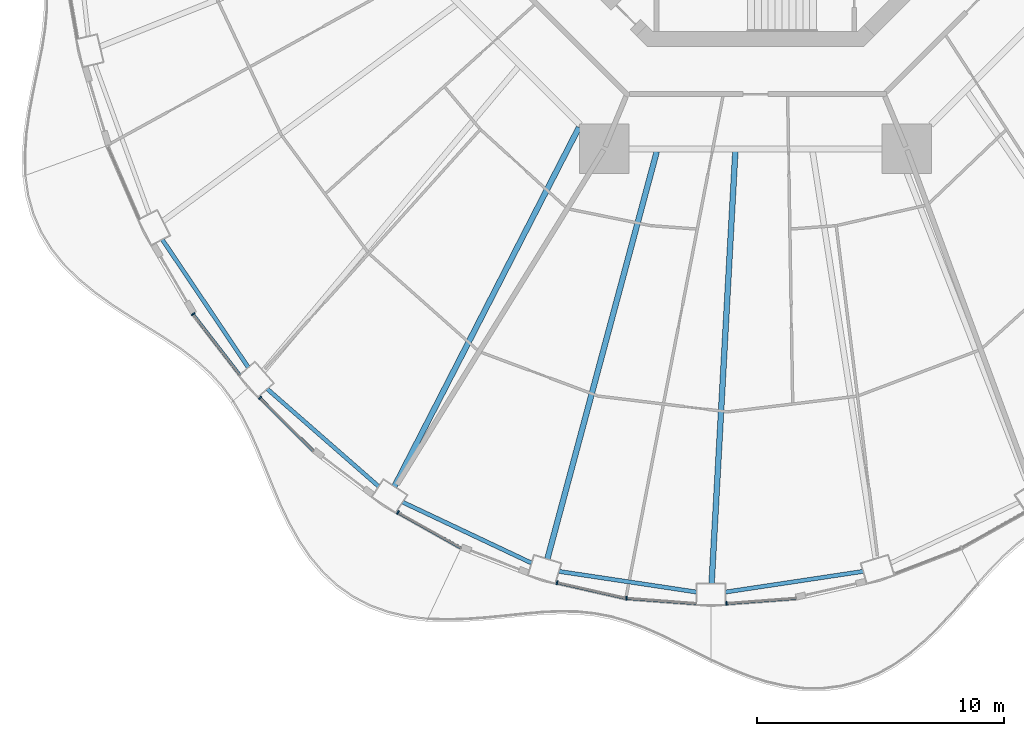
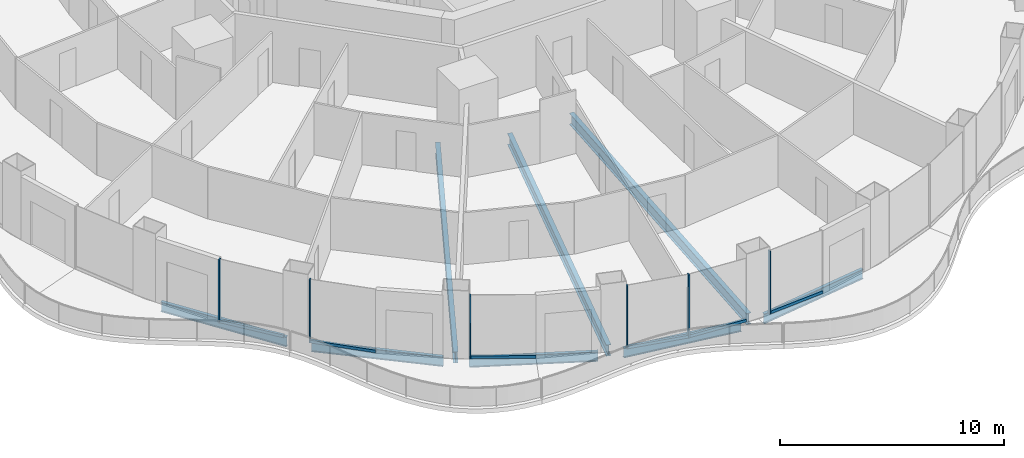
# One storey, part 2 of 20: 12 members, 8 beams, 6 elements without a shape of their own.
"""IFC4 building model written with IfcOpenShell, lengths in metres."""

import ifcopenshell
import ifcopenshell.guid

model = None  # the IFC model being written
_history = None  # IfcOwnerHistory: only IFC2X3 demands one
_inside = {}  # id of a spatial element -> (the spatial element, [elements in it])
_under = {}  # id of a project, library or spatial element -> (it, [spatial elements below it])
_declared = {}  # id of a project -> (the project, [libraries it declares])
_typed = {}  # id of a type object -> (the type object, [elements of that type])
_made_of = {}  # id of a material, layer set ... -> (it, [elements and type objects made of it])


def new_model(schema):
    """Start an empty IFC model of exactly this schema.

    Asked for "IFC4X3", IfcOpenShell would pick the latest addendum, in which some entities
    have other attributes; the version numbers below select the first issue.
    IFC2X3 requires an IfcOwnerHistory on every rooted entity: one is made here for all.
    """
    global model, _history
    if schema == "IFC4X3":
        model = ifcopenshell.file(schema_version=(4, 3, 0, 0))
    else:
        model = ifcopenshell.file(schema=schema)
    _inside.clear()
    _under.clear()
    _declared.clear()
    _typed.clear()
    _made_of.clear()
    _history = None
    if model.schema == "IFC2X3":
        org = make("IfcOrganization", Name="unknown")
        user = make(
            "IfcPersonAndOrganization",
            ThePerson=make("IfcPerson", FamilyName="unknown"),
            TheOrganization=org,
        )
        app = make(
            "IfcApplication",
            ApplicationDeveloper=org,
            Version="unknown",
            ApplicationFullName="unknown",
            ApplicationIdentifier="unknown",
        )
        _history = make(
            "IfcOwnerHistory",
            OwningUser=user,
            OwningApplication=app,
            ChangeAction="ADDED",
            CreationDate=0,
        )
    return model


def make(cls, **values):
    """One entity of the class cls with the attributes given. An attribute that is None is left unset."""
    return model.create_entity(
        cls, **{name: value for name, value in values.items() if value is not None}
    )


def rooted(cls, **values):
    """An entity with a GlobalId (a new one), such as an element, a storey or a relation."""
    return make(cls, GlobalId=ifcopenshell.guid.new(), OwnerHistory=_history, **values)


def si_unit(unit_type, name, prefix=None):
    """IfcSIUnit, for example si_unit("LENGTHUNIT", "METRE", prefix="MILLI")."""
    return make("IfcSIUnit", UnitType=unit_type, Prefix=prefix, Name=name)


def assignment(units):
    """IfcUnitAssignment: the units of a project."""
    return None if units is None else make("IfcUnitAssignment", Units=units)


def point(xyz):
    """IfcCartesianPoint."""
    return None if xyz is None else make("IfcCartesianPoint", Coordinates=xyz)


def direction(xyz):
    """IfcDirection."""
    return None if xyz is None else make("IfcDirection", DirectionRatios=xyz)


def frame(location, z_axis=None, x_axis=None):
    """IfcAxis2Placement3D, a coordinate frame: its origin and axes. An axis left out is left unset."""
    return make(
        "IfcAxis2Placement3D",
        Location=point(location),
        Axis=direction(z_axis),
        RefDirection=direction(x_axis),
    )


def frame_2d(location, x_axis=None):
    """IfcAxis2Placement2D, a coordinate frame in the plane: its origin and x axis."""
    return make(
        "IfcAxis2Placement2D", Location=point(location), RefDirection=direction(x_axis)
    )


def origin():
    """The frame at (0, 0, 0) with its axes left unset."""
    return frame((0.0, 0.0, 0.0))


def origin_2d():
    """The frame at (0, 0) in the plane with its x axis left unset."""
    return frame_2d((0.0, 0.0))


def place(relative_to, where):
    """IfcLocalPlacement: puts the frame where relative to a parent placement (None: the world)."""
    return make(
        "IfcLocalPlacement", PlacementRelTo=relative_to, RelativePlacement=where
    )


def context(
    kind, dimensions, precision=None, world=None, true_north=None, identifier=None
):
    """IfcGeometricRepresentationContext, for example the 3D "Model" context."""
    return make(
        "IfcGeometricRepresentationContext",
        ContextIdentifier=identifier,
        ContextType=kind,
        CoordinateSpaceDimension=dimensions,
        Precision=precision,
        WorldCoordinateSystem=world,
        TrueNorth=true_north,
    )


def subcontext(parent, identifier, kind, view, scale=None):
    """IfcGeometricRepresentationSubContext, for example "Body" below "Model"."""
    return make(
        "IfcGeometricRepresentationSubContext",
        ContextIdentifier=identifier,
        ContextType=kind,
        ParentContext=parent,
        TargetScale=scale,
        TargetView=view,
    )


def project(units=None, contexts=None):
    """IfcProject with its units and contexts."""
    return rooted(
        "IfcProject",
        Name="project",
        RepresentationContexts=contexts,
        UnitsInContext=assignment(units),
    )


def spatial(cls, under=None, at=None, **own):
    """A site, building, storey or space (cls), placed at a placement, below another one or the project."""
    s = rooted(cls, ObjectPlacement=at, **own)
    if under is not None:
        _under.setdefault(under.id(), (under, []))[1].append(s)
    return s


def profile(cls, at=None, kind="AREA", **sizes):
    """A parametric profile (cls). Its sizes go by their IFC names, for example OverallWidth=200.0."""
    return make(cls, ProfileType=kind, Position=at, **sizes)


def rectangle(**sizes):
    """IfcRectangleProfileDef."""
    return profile("IfcRectangleProfileDef", **sizes)


def i_section(**sizes):
    """IfcIShapeProfileDef."""
    return profile("IfcIShapeProfileDef", **sizes)


def extrude(swept, where, along, depth):
    """IfcExtrudedAreaSolid: the profile swept, set in the frame where, extruded along a direction by depth."""
    return make(
        "IfcExtrudedAreaSolid",
        SweptArea=swept,
        Position=where,
        ExtrudedDirection=direction(along),
        Depth=depth,
    )


def shape(context_of_items, identifier, shape_type, items):
    """IfcShapeRepresentation: the items that make up one representation, for example the "Body"."""
    return make(
        "IfcShapeRepresentation",
        ContextOfItems=context_of_items,
        RepresentationIdentifier=identifier,
        RepresentationType=shape_type,
        Items=items,
    )


def material(Name=None, Category=None):
    """IfcMaterial."""
    return make("IfcMaterial", Name=Name, Category=Category)


def layer(
    of_material, thickness, ventilated=None, Name=None, Category=None, Priority=None
):
    """IfcMaterialLayer: one layer of a wall or slab, of a material (None: an air gap)."""
    return make(
        "IfcMaterialLayer",
        Material=of_material,
        LayerThickness=thickness,
        IsVentilated=ventilated,
        Name=Name,
        Category=Category,
        Priority=Priority,
    )


def layer_set(layers, Name=None):
    """IfcMaterialLayerSet."""
    return make("IfcMaterialLayerSet", MaterialLayers=layers, LayerSetName=Name)


def material_profile(
    of_material, cross_section, Name=None, Category=None, Priority=None
):
    """IfcMaterialProfile: a cross section and its material."""
    return make(
        "IfcMaterialProfile",
        Name=Name,
        Material=of_material,
        Profile=cross_section,
        Priority=Priority,
        Category=Category,
    )


def profile_set(profiles, Name=None, composite=None):
    """IfcMaterialProfileSet."""
    return make(
        "IfcMaterialProfileSet",
        Name=Name,
        MaterialProfiles=profiles,
        CompositeProfile=composite,
    )


def made_of(thing, what):
    """Note that an element or type object is made of a material, layer set ...; save() writes the relation."""
    if what is not None:
        _made_of.setdefault(what.id(), (what, []))[1].append(thing)
    return thing


def type_object(cls, material=None, **own):
    """A type object (cls), such as IfcWallType, which elements share."""
    return made_of(rooted(cls, **own), material)


def element(
    cls,
    number,
    at=None,
    inside=None,
    cuts=None,
    type_object=None,
    material=None,
    context=None,
    identifier="Body",
    shape_type=None,
    held_by="IfcProductDefinitionShape",
    body=None,
    shapes=None,
    **own,
):
    """One element of the class cls, such as IfcWall. Its Tag is "e" and its number.

    at: its placement. inside: the storey or other place that contains it. cuts: it is an
    opening in that element (IfcRelVoidsElement). A single representation is given by context,
    identifier, shape_type and body (its items); several are given by shapes. held_by: the class
    of the entity that holds the representations. save() writes the other relations.
    """
    e = rooted(cls, Tag="e%d" % number, ObjectPlacement=at, **own)
    if body is not None:
        shapes = [shape(context, identifier, shape_type, body)]
    if shapes is not None:
        e.Representation = make(held_by, Representations=shapes)
    if inside is not None:
        _inside.setdefault(inside.id(), (inside, []))[1].append(e)
    if cuts is not None:
        rooted(
            "IfcRelVoidsElement", RelatingBuildingElement=cuts, RelatedOpeningElement=e
        )
    if type_object is not None:
        _typed.setdefault(type_object.id(), (type_object, []))[1].append(e)
    return made_of(e, material)


def aggregate(whole, parts):
    """IfcRelAggregates: a whole, such as a stair, and the parts it consists of."""
    return rooted("IfcRelAggregates", RelatingObject=whole, RelatedObjects=parts)


def save(model, path):
    """Write the relations noted so far, then the file.

    IfcRelAggregates (storeys below a building ...), IfcRelContainedInSpatialStructure (elements
    in a storey), IfcRelDefinesByType, IfcRelAssociatesMaterial and IfcRelDeclares: one each for
    every whole, place, type object, material and project.
    """
    for whole, parts in _under.values():
        aggregate(whole, parts)
    for where, things in _inside.values():
        rooted(
            "IfcRelContainedInSpatialStructure",
            RelatedElements=things,
            RelatingStructure=where,
        )
    for kind, things in _typed.values():
        rooted("IfcRelDefinesByType", RelatedObjects=things, RelatingType=kind)
    for what, things in _made_of.values():
        rooted("IfcRelAssociatesMaterial", RelatedObjects=things, RelatingMaterial=what)
    for by, libraries in _declared.values():
        rooted("IfcRelDeclares", RelatingContext=by, RelatedDefinitions=libraries)
    model.write(path)


model = new_model("IFC4")

# Units and contexts
model_context = context("Model", 3, precision=1e-05, world=origin(), true_north=direction((0.0, 1.0)))
body_context = subcontext(model_context, "Body", "Model", "MODEL_VIEW")
ifc_project = project(units=[si_unit("LENGTHUNIT", "METRE"), si_unit("AREAUNIT", "SQUARE_METRE"), si_unit("VOLUMEUNIT", "CUBIC_METRE"), si_unit("PLANEANGLEUNIT", "RADIAN"), si_unit("MASSUNIT", "GRAM", prefix="KILO")], contexts=[model_context])

# Site, building, storey
site_placement = place(None, origin())
site = spatial("IfcSite", under=ifc_project, at=site_placement, CompositionType="ELEMENT")
building_placement = place(site_placement, origin())
building = spatial("IfcBuilding", under=site, at=building_placement, Name="Nagisa Residences", CompositionType="ELEMENT")
storey_placement = place(building_placement, frame((0.0, 0.0, 130.699951171875)))
storey = spatial("IfcBuildingStorey", under=building, at=storey_placement, Name="L32", CompositionType="ELEMENT", Elevation=130.699951171875)

# Curtain wall, member
ifc_material_1 = material(Name="Concrete-coloured aluminium curtain wall system", Category="concrete")
ifc_layer = layer(ifc_material_1, 0.159912109375)
ifc_layer_set = layer_set([ifc_layer], Name="CW1 CURTAIN WALL")
curtain_wall_type = type_object("IfcCurtainWallType", Name="CW1 CURTAIN WALL", PredefinedType="NOTDEFINED", material=ifc_layer_set)
curtain_wall_1_placement = place(storey_placement, origin())
curtain_wall_1 = element("IfcCurtainWall", 1, at=curtain_wall_1_placement, inside=storey, type_object=curtain_wall_type, Name="cw:CW1:L32:29", PredefinedType="NOTDEFINED")
ifc_material_2 = material(Name="Concrete-coloured aluminium", Category="concrete")
ifc_material_profile_1 = material_profile(ifc_material_2, rectangle(XDim=0.159912109375, YDim=0.06005859375, at=origin_2d()), Name="CW1 MULLION 160x60")
ifc_profile_set_1 = profile_set([ifc_material_profile_1], Name="Concrete-coloured aluminium")
member_type_1 = type_object("IfcMemberType", Name="CW1 MULLION 160x60", PredefinedType="MULLION", material=ifc_profile_set_1)
member_1_placement = place(storey_placement, frame((-22.77001953125, -21.47412109375, 0.0), z_axis=(0.0, 0.0, 1.0), x_axis=(0.792070340816, 0.610429828235, 0.0)))
member_1 = element("IfcMember", 2, at=member_1_placement, type_object=member_type_1, Name="CW1 mullion", PredefinedType="MULLION", context=body_context, shape_type="SweptSolid", body=[
    extrude(rectangle(XDim=0.159912109375, YDim=0.06005859375, at=origin_2d()), origin(), (0.0, 0.0, 1.0), 3.43994140625),
])

curtain_wall_2_placement = place(storey_placement, origin())
curtain_wall_2 = element("IfcCurtainWall", 3, at=curtain_wall_2_placement, inside=storey, type_object=curtain_wall_type, Name="cw:CW1:L32:30", PredefinedType="NOTDEFINED")
member_2_placement = place(storey_placement, frame((-20.060546875, -24.857177734375, 0.0), z_axis=(0.0, 0.0, 1.0), x_axis=(0.706376885714, 0.707835924016, 0.0)))
member_2 = element("IfcMember", 4, at=member_2_placement, type_object=member_type_1, Name="CW1 mullion", PredefinedType="MULLION", context=body_context, shape_type="SweptSolid", body=[
    extrude(rectangle(XDim=0.159912109375, YDim=0.06005859375, at=origin_2d()), origin(), (0.0, 0.0, 1.0), 3.43994140625),
])

curtain_wall_3_placement = place(storey_placement, origin())
curtain_wall_3 = element("IfcCurtainWall", 5, at=curtain_wall_3_placement, inside=storey, type_object=curtain_wall_type, Name="cw:CW1:L32:32", PredefinedType="NOTDEFINED")
member_3_placement = place(storey_placement, frame((-14.47900390625, -29.505859375, 0.0), z_axis=(0.0, 0.0, 1.0), x_axis=(0.489376918501, 0.872072377523, 0.0)))
member_3 = element("IfcMember", 6, at=member_3_placement, type_object=member_type_1, Name="CW1 mullion", PredefinedType="MULLION", context=body_context, shape_type="SweptSolid", body=[
    extrude(rectangle(XDim=0.159912109375, YDim=0.06005859375, at=origin_2d()), origin(), (0.0, 0.0, 1.0), 3.43994140625),
])

curtain_wall_4_placement = place(storey_placement, origin())
curtain_wall_4 = element("IfcCurtainWall", 7, at=curtain_wall_4_placement, inside=storey, type_object=curtain_wall_type, Name="cw:CW1:L32:34", PredefinedType="NOTDEFINED")
member_4_placement = place(storey_placement, frame((-8.03564453125, -32.344970703125, 0.0), z_axis=(0.0, 0.0, 1.0), x_axis=(0.2207639201, 0.975327274089, 0.0)))
member_4 = element("IfcMember", 8, at=member_4_placement, type_object=member_type_1, Name="CW1 mullion", PredefinedType="MULLION", context=body_context, shape_type="SweptSolid", body=[
    extrude(rectangle(XDim=0.159912109375, YDim=0.06005859375, at=origin_2d()), origin(), (0.0, 0.0, 1.0), 3.43994140625),
])

curtain_wall_5_placement = place(storey_placement, origin())
curtain_wall_5 = element("IfcCurtainWall", 9, at=curtain_wall_5_placement, inside=storey, type_object=curtain_wall_type, Name="cw:CW1:L32:35", PredefinedType="NOTDEFINED")
member_5_placement = place(storey_placement, frame((-5.2275390625, -32.976806640625, 0.0), z_axis=(0.0, 0.0, 1.0), x_axis=(0.074377355493, 0.997230168512, 0.0)))
member_5 = element("IfcMember", 10, at=member_5_placement, type_object=member_type_1, Name="CW1 mullion", PredefinedType="MULLION", context=body_context, shape_type="SweptSolid", body=[
    extrude(rectangle(XDim=0.159912109375, YDim=0.06005859375, at=origin_2d()), origin(), (0.0, 0.0, 1.0), 3.43994140625),
])

curtain_wall_6_placement = place(storey_placement, origin())
curtain_wall_6 = element("IfcCurtainWall", 11, at=curtain_wall_6_placement, inside=storey, type_object=curtain_wall_type, Name="cw:CW1:L32:36", PredefinedType="NOTDEFINED")
member_6_placement = place(storey_placement, frame((-1.177734375, -33.18603515625, 0.0), z_axis=(0.0, 0.0, 1.0), x_axis=(-0.074377355493, 0.997230168512, 0.0)))
member_6 = element("IfcMember", 12, at=member_6_placement, type_object=member_type_1, Name="CW1 mullion", PredefinedType="MULLION", context=body_context, shape_type="SweptSolid", body=[
    extrude(rectangle(XDim=0.159912109375, YDim=0.06005859375, at=origin_2d()), origin(), (0.0, 0.0, 1.0), 3.43994140625),
])

# Member
ifc_material_3 = material(Name="Concrete-coloured aluminium", Category="concrete")
ifc_material_profile_2 = material_profile(ifc_material_3, rectangle(XDim=0.1201171875, YDim=0.14990234375, at=origin_2d()), Name="CW1 TRANSOM 120x150")
ifc_profile_set_2 = profile_set([ifc_material_profile_2], Name="Concrete-coloured aluminium")
member_type_2 = type_object("IfcMemberType", Name="CW1 TRANSOM 120x150", PredefinedType="USERDEFINED", material=ifc_profile_set_2)
member_7_placement = place(storey_placement, frame((-22.788330078125, -21.450439453125, 0.074951171875), z_axis=(0.610429847179, -0.792070326217, 0.0), x_axis=(0.792070326217, 0.610429847179, 0.0)))
member_7 = element("IfcMember", 13, at=member_7_placement, type_object=member_type_2, Name="CW1 transom", ObjectType="TRANSOM", PredefinedType="USERDEFINED", context=body_context, shape_type="SweptSolid", body=[
    extrude(rectangle(XDim=0.1201171875, YDim=0.14990234375, at=origin_2d()), origin(), (0.0, 0.0, 1.0), 3.149169921875),
])

aggregate(curtain_wall_1, [member_1, member_7])

member_8_placement = place(storey_placement, frame((-20.081787109375, -24.8359375, 0.074951171875), z_axis=(0.707818274975, -0.706394570768, 0.0), x_axis=(0.706394570768, 0.707818274975, 0.0)))
member_8 = element("IfcMember", 14, at=member_8_placement, type_object=member_type_2, Name="CW1 transom", ObjectType="TRANSOM", PredefinedType="USERDEFINED", context=body_context, shape_type="SweptSolid", body=[
    extrude(rectangle(XDim=0.1201171875, YDim=0.14990234375, at=origin_2d()), origin(), (0.0, 0.0, 1.0), 3.086669921875),
])

aggregate(curtain_wall_2, [member_2, member_8])

member_9_placement = place(storey_placement, frame((-14.505126953125, -29.4912109375, 0.074951171875), z_axis=(0.87206688547, -0.489386705241, 0.0), x_axis=(0.489386705241, 0.87206688547, 0.0)))
member_9 = element("IfcMember", 15, at=member_9_placement, type_object=member_type_2, Name="CW1 transom", ObjectType="TRANSOM", PredefinedType="USERDEFINED", context=body_context, shape_type="SweptSolid", body=[
    extrude(rectangle(XDim=0.1201171875, YDim=0.14990234375, at=origin_2d()), origin(), (0.0, 0.0, 1.0), 2.9697265625),
])

aggregate(curtain_wall_3, [member_3, member_9])

member_10_placement = place(storey_placement, frame((-8.06494140625, -32.338134765625, 0.074951171875), z_axis=(0.975320849653, -0.220792301117, 0.0), x_axis=(0.220792301117, 0.975320849653, 0.0)))
member_10 = element("IfcMember", 16, at=member_10_placement, type_object=member_type_2, Name="CW1 transom", ObjectType="TRANSOM", PredefinedType="USERDEFINED", context=body_context, shape_type="SweptSolid", body=[
    extrude(rectangle(XDim=0.1201171875, YDim=0.14990234375, at=origin_2d()), origin(), (0.0, 0.0, 1.0), 2.890380859375),
])

aggregate(curtain_wall_4, [member_4, member_10])

member_11_placement = place(storey_placement, frame((-5.257568359375, -32.974609375, 0.074951171875), z_axis=(0.997232166829, -0.074350557769, 0.0), x_axis=(0.074350557769, 0.997232166829, 0.0)))
member_11 = element("IfcMember", 17, at=member_11_placement, type_object=member_type_2, Name="CW1 transom", ObjectType="TRANSOM", PredefinedType="USERDEFINED", context=body_context, shape_type="SweptSolid", body=[
    extrude(rectangle(XDim=0.1201171875, YDim=0.14990234375, at=origin_2d()), origin(), (0.0, 0.0, 1.0), 2.873291015625),
])

aggregate(curtain_wall_5, [member_5, member_11])

member_12_placement = place(storey_placement, frame((-1.20751953125, -33.188232421875, 0.074951171875), z_axis=(0.997231697044, 0.074356858535, 0.0), x_axis=(-0.074356858535, 0.997231697044, 0.0)))
member_12 = element("IfcMember", 18, at=member_12_placement, type_object=member_type_2, Name="CW1 transom", ObjectType="TRANSOM", PredefinedType="USERDEFINED", context=body_context, shape_type="SweptSolid", body=[
    extrude(rectangle(XDim=0.1201171875, YDim=0.14990234375, at=origin_2d()), origin(), (0.0, 0.0, 1.0), 2.873046875),
])

aggregate(curtain_wall_6, [member_6, member_12])

# Beams
ifc_material_4 = material(Name="Steel ASTM A572 Gr 50", Category="steel")
ifc_material_profile_3 = material_profile(ifc_material_4, i_section(OverallWidth=0.166015625, OverallDepth=0.534912109375, WebThickness=0.01025390625, FlangeThickness=0.0166015625, at=origin_2d()), Name="W530x85")
ifc_profile_set_3 = profile_set([ifc_material_profile_3], Name="Steel ASTM A572 Gr 50")
beam_type_1 = type_object("IfcBeamType", Name="Perimeter ring beam W530x85", PredefinedType="BEAM", material=ifc_profile_set_3)
beam_1_placement = place(storey_placement, frame((-24.020751953125, -18.4501953125, -0.52734375), z_axis=(0.558187951157, -0.82971453596, 0.0), x_axis=(0.82971453596, 0.558187951157, 0.0)))
element("IfcBeam", 19, at=beam_1_placement, inside=storey, type_object=beam_type_1, Name="beam:L32:pb15", PredefinedType="BEAM", context=body_context, shape_type="SweptSolid", body=[
    extrude(i_section(OverallWidth=0.166015625, OverallDepth=0.534912109375, WebThickness=0.01025390625, FlangeThickness=0.0166015625, at=origin_2d()), origin(), (0.0, 0.0, 1.0), 6.24267578125),
])
beam_2_placement = place(storey_placement, frame((-19.769287109375, -24.500732421875, -0.52734375), z_axis=(0.75252371036, -0.658565156493, 0.0), x_axis=(0.658565156493, 0.75252371036, 0.0)))
element("IfcBeam", 20, at=beam_2_placement, inside=storey, type_object=beam_type_1, Name="beam:L32:pb16", PredefinedType="BEAM", context=body_context, shape_type="SweptSolid", body=[
    extrude(i_section(OverallWidth=0.166015625, OverallDepth=0.534912109375, WebThickness=0.01025390625, FlangeThickness=0.0166015625, at=origin_2d()), origin(), (0.0, 0.0, 1.0), 5.994384765625),
])
beam_3_placement = place(storey_placement, frame((-14.287841796875, -29.084716796875, -0.52734375), z_axis=(0.904186034847, -0.427138870143, 0.0), x_axis=(0.427138870143, 0.904186034847, 0.0)))
element("IfcBeam", 21, at=beam_3_placement, inside=storey, type_object=beam_type_1, Name="beam:L32:pb17", PredefinedType="BEAM", context=body_context, shape_type="SweptSolid", body=[
    extrude(i_section(OverallWidth=0.166015625, OverallDepth=0.534912109375, WebThickness=0.01025390625, FlangeThickness=0.0166015625, at=origin_2d()), origin(), (0.0, 0.0, 1.0), 5.772216796875),
])
for number, where, z_axis, x_axis, name in (
    (22, (-7.958251953125, -31.887939453125, -0.52734375), (0.9889122118, -0.148501304214, 0.0), (0.148501304214, 0.9889122118, 0.0), "beam:L32:pb18"),
    (23, (-1.2197265625, -32.7255859375, -0.52734375), (0.9889122118, 0.148501304214, 0.0), (-0.148501304214, 0.9889122118, 0.0), "beam:L32:pb19"),
):
    element("IfcBeam", number, at=place(storey_placement, frame(where, z_axis=z_axis, x_axis=x_axis)), inside=storey, type_object=beam_type_1, Name=name, PredefinedType="BEAM", context=body_context, shape_type="SweptSolid", body=[
        extrude(i_section(OverallWidth=0.166015625, OverallDepth=0.534912109375, WebThickness=0.01025390625, FlangeThickness=0.0166015625, at=origin_2d()), origin(), (0.0, 0.0, 1.0), 5.640625),
    ])
ifc_material_5 = material(Name="Steel ASTM A572 Gr 50", Category="steel")
ifc_material_profile_4 = material_profile(ifc_material_5, i_section(OverallWidth=0.22900390625, OverallDepth=0.612060546875, WebThickness=0.011962890625, FlangeThickness=0.01953125, at=origin_2d()), Name="W610x125")
ifc_profile_set_4 = profile_set([ifc_material_profile_4], Name="Steel ASTM A572 Gr 50")
beam_type_2 = type_object("IfcBeamType", Name="Radial beam W610x125", PredefinedType="BEAM", material=ifc_profile_set_4)
beam_4_placement = place(storey_placement, frame((-14.619873046875, -28.449462890625, -0.56591796875), z_axis=(0.457072968779, 0.889429199662, 0.0), x_axis=(-0.889429199662, 0.457072968779, 0.0)))
element("IfcBeam", 24, at=beam_4_placement, inside=storey, type_object=beam_type_2, Name="beam:L32:rb17", PredefinedType="BEAM", context=body_context, shape_type="SweptSolid", body=[
    extrude(i_section(OverallWidth=0.22900390625, OverallDepth=0.612060546875, WebThickness=0.011962890625, FlangeThickness=0.01953125, at=origin_2d()), origin(), (0.0, 0.0, 1.0), 16.347412109375),
])
beam_5_placement = place(storey_placement, frame((-8.4267578125, -31.38525390625, -0.56591796875), z_axis=(0.25930906211, 0.965794393392, 0.0), x_axis=(-0.965794393392, 0.25930906211, 0.0)))
element("IfcBeam", 25, at=beam_5_placement, inside=storey, type_object=beam_type_2, Name="beam:L32:rb18", PredefinedType="BEAM", context=body_context, shape_type="SweptSolid", body=[
    extrude(i_section(OverallWidth=0.22900390625, OverallDepth=0.612060546875, WebThickness=0.011962890625, FlangeThickness=0.01953125, at=origin_2d()), origin(), (0.0, 0.0, 1.0), 17.079833984375),
])
beam_6_placement = place(storey_placement, frame((-1.7763671875, -32.382568359375, -0.56591796875), z_axis=(0.054779249477, 0.998498489647, 0.0), x_axis=(-0.998498489647, 0.054779249477, 0.0)))
element("IfcBeam", 26, at=beam_6_placement, inside=storey, type_object=beam_type_2, Name="beam:L32:rb19", PredefinedType="BEAM", context=body_context, shape_type="SweptSolid", body=[
    extrude(i_section(OverallWidth=0.22900390625, OverallDepth=0.612060546875, WebThickness=0.011962890625, FlangeThickness=0.01953125, at=origin_2d()), origin(), (0.0, 0.0, 1.0), 17.519775390625),
])

save(model, "model.ifc")
